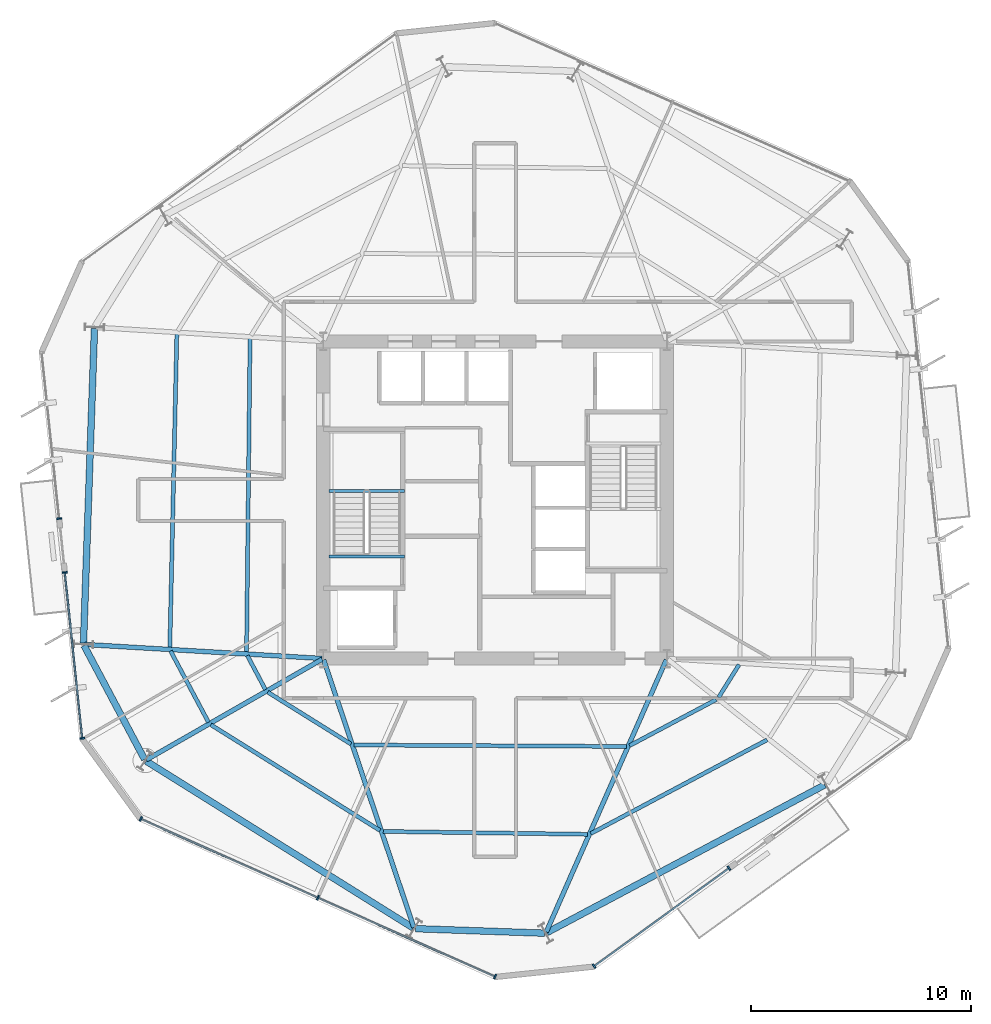
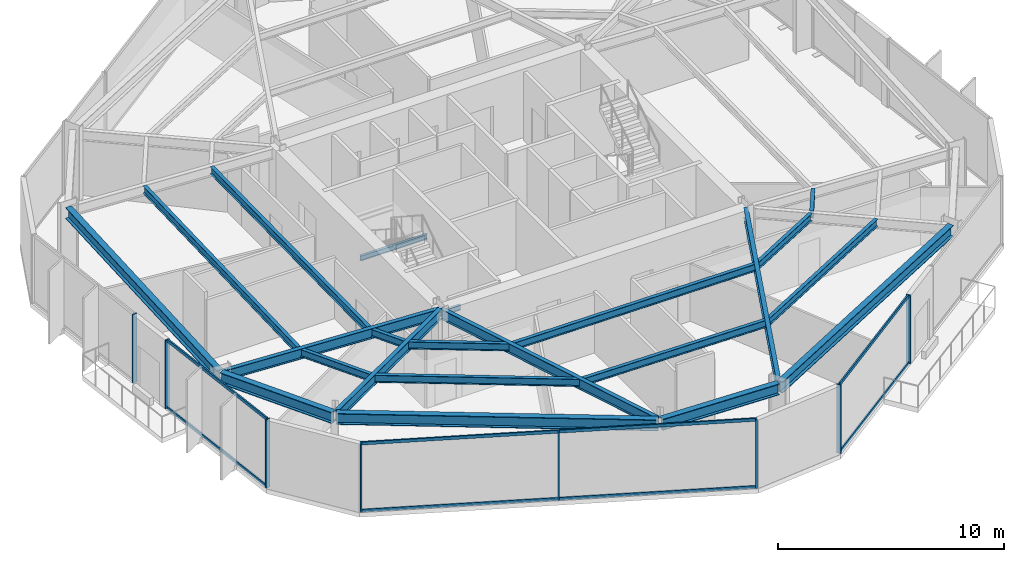
# One storey, part 2 of 12: 22 beams, 16 members, 4 elements without a shape of their own.
"""IFC4 building model written with IfcOpenShell, lengths in metres."""

from ifc_helpers import new_model, si_unit, direction, frame, origin, origin_2d, place, context, subcontext, project, spatial, rectangle, i_section, extrude, material, layer, layer_set, material_profile, profile_set, type_object, element, aggregate, save


model = new_model("IFC4")

# Units and contexts
model_context = context("Model", 3, precision=1e-05, world=origin(), true_north=direction((0.0, 1.0)))
body_context = subcontext(model_context, "Body", "Model", "MODEL_VIEW")
ifc_project = project(units=[si_unit("LENGTHUNIT", "METRE"), si_unit("AREAUNIT", "SQUARE_METRE"), si_unit("VOLUMEUNIT", "CUBIC_METRE"), si_unit("PLANEANGLEUNIT", "RADIAN"), si_unit("MASSUNIT", "GRAM", prefix="KILO")], contexts=[model_context])

# Site, building, storey
site_placement = place(None, origin())
site = spatial("IfcSite", under=ifc_project, at=site_placement, CompositionType="ELEMENT")
building_placement = place(site_placement, origin())
building = spatial("IfcBuilding", under=site, at=building_placement, Name="Kranzbogen Civic Tower", CompositionType="ELEMENT")
storey_placement = place(building_placement, frame((0.0, 0.0, 166.39990234375)))
storey = spatial("IfcBuildingStorey", under=building, at=storey_placement, Name="L40", CompositionType="ELEMENT", Elevation=166.39990234375)

# Curtain wall, member
ifc_material_1 = material(Name="Pale Anodised Aluminium", Category="aluminium")
ifc_layer = layer(ifc_material_1, 0.219970703125, Name="Pale Anodised Aluminium")
ifc_layer_set = layer_set([ifc_layer], Name="Pale Anodised Aluminium")
curtain_wall_type = type_object("IfcCurtainWallType", Name="Zone 2 Stick Curtain Wall System CW-03", PredefinedType="USERDEFINED", material=ifc_layer_set)
curtain_wall_1_placement = place(storey_placement, origin())
curtain_wall_1 = element("IfcCurtainWall", 1, at=curtain_wall_1_placement, inside=storey, type_object=curtain_wall_type, Name="L40 curtain wall CW-L40-F3-S1", ObjectType="STICK CURTAIN WALL", PredefinedType="USERDEFINED")
ifc_material_profile_1 = material_profile(ifc_material_1, rectangle(XDim=0.074951171875, YDim=0.219970703125, at=origin_2d()), Name="ALU-M 75x220")
ifc_profile_set_1 = profile_set([ifc_material_profile_1], Name="Pale Anodised Aluminium")
member_type_1 = type_object("IfcMemberType", Name="Curtain Wall Mullion ALU-M 75x220", PredefinedType="MULLION", material=ifc_profile_set_1)
member_1_placement = place(storey_placement, frame((5.207763671875, 24.15576171875, 0.0), z_axis=(0.0, 0.0, 1.0), x_axis=(0.104521149206, -0.99452266408, 0.0)))
member_1 = element("IfcMember", 2, at=member_1_placement, type_object=member_type_1, Name="CW-03 mullion 2", PredefinedType="MULLION", context=body_context, shape_type="SweptSolid", body=[
    extrude(rectangle(XDim=0.074951171875, YDim=0.219970703125, at=origin_2d()), origin(), (0.0, 0.0, 1.0), 3.7001953125),
])
aggregate(curtain_wall_1, [member_1])

# Curtain wall, members
curtain_wall_2_placement = place(storey_placement, origin())
curtain_wall_2 = element("IfcCurtainWall", 3, at=curtain_wall_2_placement, inside=storey, type_object=curtain_wall_type, Name="L40 curtain wall CW-L40-F3-S2", ObjectType="STICK CURTAIN WALL", PredefinedType="USERDEFINED")
member_2_placement = place(storey_placement, frame((5.464111328125, 21.709228515625, 0.0), z_axis=(0.0, 0.0, 1.0), x_axis=(0.104534766048, -0.994521232899, 0.0)))
member_2 = element("IfcMember", 4, at=member_2_placement, type_object=member_type_1, Name="CW-03 mullion 1", PredefinedType="MULLION", context=body_context, shape_type="SweptSolid", body=[
    extrude(rectangle(XDim=0.074951171875, YDim=0.219970703125, at=origin_2d()), origin(), (0.0, 0.0, 1.0), 3.7001953125),
])
member_3_placement = place(storey_placement, frame((6.255859375, 14.1767578125, 0.0), z_axis=(0.0, 0.0, 1.0), x_axis=(0.104534766048, -0.994521232899, 0.0)))
member_3 = element("IfcMember", 5, at=member_3_placement, type_object=member_type_1, Name="CW-03 mullion 2", PredefinedType="MULLION", context=body_context, shape_type="SweptSolid", body=[
    extrude(rectangle(XDim=0.074951171875, YDim=0.219970703125, at=origin_2d()), origin(), (0.0, 0.0, 1.0), 3.7001953125),
])

curtain_wall_3_placement = place(storey_placement, origin())
curtain_wall_3 = element("IfcCurtainWall", 6, at=curtain_wall_3_placement, inside=storey, type_object=curtain_wall_type, Name="L40 curtain wall CW-L40-F4", ObjectType="STICK CURTAIN WALL", PredefinedType="USERDEFINED")
member_4_placement = place(storey_placement, frame((8.914306640625, 10.518798828125, 0.0), z_axis=(0.0, 0.0, 1.0), x_axis=(0.913533600789, -0.406763272961, 0.0)))
member_4 = element("IfcMember", 7, at=member_4_placement, type_object=member_type_1, Name="CW-03 mullion 1", PredefinedType="MULLION", context=body_context, shape_type="SweptSolid", body=[
    extrude(rectangle(XDim=0.074951171875, YDim=0.219970703125, at=origin_2d()), origin(), (0.0, 0.0, 1.0), 3.7001953125),
])
member_5_placement = place(storey_placement, frame((16.95751953125, 6.9375, 0.0), z_axis=(0.0, 0.0, 1.0), x_axis=(0.913533600789, -0.406763272961, 0.0)))
member_5 = element("IfcMember", 8, at=member_5_placement, type_object=member_type_1, Name="CW-03 mullion 2", PredefinedType="MULLION", context=body_context, shape_type="SweptSolid", body=[
    extrude(rectangle(XDim=0.074951171875, YDim=0.219970703125, at=origin_2d()), origin(), (0.0, 0.0, 1.0), 3.7001953125),
])
member_6_placement = place(storey_placement, frame((25.00048828125, 3.356201171875, 0.0), z_axis=(0.0, 0.0, 1.0), x_axis=(0.913533600789, -0.406763272961, 0.0)))
member_6 = element("IfcMember", 9, at=member_6_placement, type_object=member_type_1, Name="CW-03 mullion 3", PredefinedType="MULLION", context=body_context, shape_type="SweptSolid", body=[
    extrude(rectangle(XDim=0.074951171875, YDim=0.219970703125, at=origin_2d()), origin(), (0.0, 0.0, 1.0), 3.7001953125),
])

curtain_wall_4_placement = place(storey_placement, origin())
curtain_wall_4 = element("IfcCurtainWall", 10, at=curtain_wall_4_placement, inside=storey, type_object=curtain_wall_type, Name="L40 curtain wall CW-L40-F5-S1", ObjectType="STICK CURTAIN WALL", PredefinedType="USERDEFINED")
member_7_placement = place(storey_placement, frame((29.499267578125, 3.82861328125, 0.0), z_axis=(0.0, 0.0, 1.0), x_axis=(0.808962592733, 0.587860122443, 0.0)))
member_7 = element("IfcMember", 11, at=member_7_placement, type_object=member_type_1, Name="CW-03 mullion 1", PredefinedType="MULLION", context=body_context, shape_type="SweptSolid", body=[
    extrude(rectangle(XDim=0.074951171875, YDim=0.219970703125, at=origin_2d()), origin(), (0.0, 0.0, 1.0), 3.7001953125),
])
member_8_placement = place(storey_placement, frame((35.626708984375, 8.28125, 0.0), z_axis=(0.0, 0.0, 1.0), x_axis=(0.808962592733, 0.587860122443, 0.0)))
member_8 = element("IfcMember", 12, at=member_8_placement, type_object=member_type_1, Name="CW-03 mullion 2", PredefinedType="MULLION", context=body_context, shape_type="SweptSolid", body=[
    extrude(rectangle(XDim=0.074951171875, YDim=0.219970703125, at=origin_2d()), origin(), (0.0, 0.0, 1.0), 3.7001953125),
])

# Member
ifc_material_profile_2 = material_profile(ifc_material_1, rectangle(XDim=0.074951171875, YDim=0.1650390625, at=origin_2d()), Name="ALU-T 75x165")
ifc_profile_set_2 = profile_set([ifc_material_profile_2], Name="Pale Anodised Aluminium")
member_type_2 = type_object("IfcMemberType", Name="Curtain Wall Transom ALU-T 75x165", PredefinedType="USERDEFINED", material=ifc_profile_set_2)
member_9_placement = place(storey_placement, frame((5.46728515625, 21.679443359375, 0.030029296875), z_axis=(0.104527485236, -0.994521998163, 0.0), x_axis=(0.994521998163, 0.104527485236, 0.0)))
member_9 = element("IfcMember", 13, at=member_9_placement, type_object=member_type_2, Name="CW-03 transom 1.1", ObjectType="TRANSOM", PredefinedType="USERDEFINED", context=body_context, shape_type="SweptSolid", body=[
    extrude(rectangle(XDim=0.074951171875, YDim=0.1650390625, at=origin_2d()), origin(), (0.0, 0.0, 1.0), 7.513916015625),
])

member_10_placement = place(storey_placement, frame((5.46728515625, 21.679443359375, 3.670166015625), z_axis=(0.104527485236, -0.994521998163, 0.0), x_axis=(0.994521998163, 0.104527485236, 0.0)))
member_10 = element("IfcMember", 14, at=member_10_placement, type_object=member_type_2, Name="CW-03 transom 1.2", ObjectType="TRANSOM", PredefinedType="USERDEFINED", context=body_context, shape_type="SweptSolid", body=[
    extrude(rectangle(XDim=0.074951171875, YDim=0.1650390625, at=origin_2d()), origin(), (0.0, 0.0, 1.0), 7.513916015625),
])

aggregate(curtain_wall_2, [member_2, member_3, member_9, member_10])

member_11_placement = place(storey_placement, frame((8.94189453125, 10.506591796875, 0.030029296875), z_axis=(0.913533864962, -0.406762679665, 0.0), x_axis=(0.406762679665, 0.913533864962, 0.0)))
member_11 = element("IfcMember", 15, at=member_11_placement, type_object=member_type_2, Name="CW-03 transom 1.1", ObjectType="TRANSOM", PredefinedType="USERDEFINED", context=body_context, shape_type="SweptSolid", body=[
    extrude(rectangle(XDim=0.074951171875, YDim=0.1650390625, at=origin_2d()), origin(), (0.0, 0.0, 1.0), 8.744384765625),
])

member_12_placement = place(storey_placement, frame((8.94189453125, 10.506591796875, 3.670166015625), z_axis=(0.913533864962, -0.406762679665, 0.0), x_axis=(0.406762679665, 0.913533864962, 0.0)))
member_12 = element("IfcMember", 16, at=member_12_placement, type_object=member_type_2, Name="CW-03 transom 1.2", ObjectType="TRANSOM", PredefinedType="USERDEFINED", context=body_context, shape_type="SweptSolid", body=[
    extrude(rectangle(XDim=0.074951171875, YDim=0.1650390625, at=origin_2d()), origin(), (0.0, 0.0, 1.0), 8.744384765625),
])

member_13_placement = place(storey_placement, frame((16.98486328125, 6.92529296875, 0.030029296875), z_axis=(0.913533864962, -0.406762679665, 0.0), x_axis=(0.406762679665, 0.913533864962, 0.0)))
member_13 = element("IfcMember", 17, at=member_13_placement, type_object=member_type_2, Name="CW-03 transom 2.1", ObjectType="TRANSOM", PredefinedType="USERDEFINED", context=body_context, shape_type="SweptSolid", body=[
    extrude(rectangle(XDim=0.074951171875, YDim=0.1650390625, at=origin_2d()), origin(), (0.0, 0.0, 1.0), 8.744384765625),
])

member_14_placement = place(storey_placement, frame((16.98486328125, 6.92529296875, 3.670166015625), z_axis=(0.913533864962, -0.406762679665, 0.0), x_axis=(0.406762679665, 0.913533864962, 0.0)))
member_14 = element("IfcMember", 18, at=member_14_placement, type_object=member_type_2, Name="CW-03 transom 2.2", ObjectType="TRANSOM", PredefinedType="USERDEFINED", context=body_context, shape_type="SweptSolid", body=[
    extrude(rectangle(XDim=0.074951171875, YDim=0.1650390625, at=origin_2d()), origin(), (0.0, 0.0, 1.0), 8.744384765625),
])

aggregate(curtain_wall_3, [member_4, member_5, member_6, member_11, member_12, member_13, member_14])

member_15_placement = place(storey_placement, frame((29.5234375, 3.84619140625, 0.030029296875), z_axis=(0.808969237085, 0.587850978948, 0.0), x_axis=(-0.587850978948, 0.808969237085, 0.0)))
member_15 = element("IfcMember", 19, at=member_15_placement, type_object=member_type_2, Name="CW-03 transom 1.1", ObjectType="TRANSOM", PredefinedType="USERDEFINED", context=body_context, shape_type="SweptSolid", body=[
    extrude(rectangle(XDim=0.074951171875, YDim=0.1650390625, at=origin_2d()), origin(), (0.0, 0.0, 1.0), 7.5146484375),
])

member_16_placement = place(storey_placement, frame((29.5234375, 3.84619140625, 3.670166015625), z_axis=(0.808969237085, 0.587850978948, 0.0), x_axis=(-0.587850978948, 0.808969237085, 0.0)))
member_16 = element("IfcMember", 20, at=member_16_placement, type_object=member_type_2, Name="CW-03 transom 1.2", ObjectType="TRANSOM", PredefinedType="USERDEFINED", context=body_context, shape_type="SweptSolid", body=[
    extrude(rectangle(XDim=0.074951171875, YDim=0.1650390625, at=origin_2d()), origin(), (0.0, 0.0, 1.0), 7.5146484375),
])

aggregate(curtain_wall_4, [member_7, member_8, member_15, member_16])

# Beams
ifc_material_2 = material(Name="Steel S355", Category="steel")
ifc_material_profile_3 = material_profile(ifc_material_2, i_section(OverallWidth=0.300048828125, OverallDepth=0.60009765625, WebThickness=0.015380859375, FlangeThickness=0.030029296875, at=origin_2d()), Name="HEB 600")
ifc_profile_set_3 = profile_set([ifc_material_profile_3], Name="Steel S355")
beam_type_1 = type_object("IfcBeamType", Name="Perimeter Tube Spandrel Beam HEB 600", PredefinedType="SPANDREL", material=ifc_profile_set_3)
beam_1_placement = place(storey_placement, frame((6.337890625, 18.39111328125, 3.400146484375), z_axis=(0.469565926668, -0.882897412224, 0.0), x_axis=(0.882897412224, 0.469565926668, 0.0)))
element("IfcBeam", 21, at=beam_1_placement, inside=storey, type_object=beam_type_1, Name="L40 perimeter spandrel beam 01", PredefinedType="SPANDREL", context=body_context, shape_type="SweptSolid", body=[
    extrude(i_section(OverallWidth=0.300048828125, OverallDepth=0.60009765625, WebThickness=0.015380859375, FlangeThickness=0.030029296875, at=origin_2d()), origin(), (0.0, 0.0, 1.0), 5.852294921875),
])
beam_2_placement = place(storey_placement, frame((9.1650390625, 13.138916015625, 3.400146484375), z_axis=(0.848051101349, -0.52991445489, 0.0), x_axis=(0.52991445489, 0.848051101349, 0.0)))
element("IfcBeam", 22, at=beam_2_placement, inside=storey, type_object=beam_type_1, Name="L40 perimeter spandrel beam 02", PredefinedType="SPANDREL", context=body_context, shape_type="SweptSolid", body=[
    extrude(i_section(OverallWidth=0.300048828125, OverallDepth=0.60009765625, WebThickness=0.015380859375, FlangeThickness=0.030029296875, at=origin_2d()), origin(), (0.0, 0.0, 1.0), 14.286865234375),
])
beam_3_placement = place(storey_placement, frame((21.39208984375, 5.533935546875, 3.400146484375), z_axis=(0.999393148233, -0.03483296234, 0.0), x_axis=(0.03483296234, 0.999393148233, 0.0)))
element("IfcBeam", 23, at=beam_3_placement, inside=storey, type_object=beam_type_1, Name="L40 perimeter spandrel beam 03", PredefinedType="SPANDREL", context=body_context, shape_type="SweptSolid", body=[
    extrude(i_section(OverallWidth=0.300048828125, OverallDepth=0.60009765625, WebThickness=0.015380859375, FlangeThickness=0.030029296875, at=origin_2d()), origin(), (0.0, 0.0, 1.0), 5.8525390625),
])
beam_4_placement = place(storey_placement, frame((27.35400390625, 5.35595703125, 3.400146484375), z_axis=(0.882948194046, 0.469470432116, 0.0), x_axis=(-0.469470432116, 0.882948194046, 0.0)))
element("IfcBeam", 24, at=beam_4_placement, inside=storey, type_object=beam_type_1, Name="L40 perimeter spandrel beam 04", PredefinedType="SPANDREL", context=body_context, shape_type="SweptSolid", body=[
    extrude(i_section(OverallWidth=0.300048828125, OverallDepth=0.60009765625, WebThickness=0.015380859375, FlangeThickness=0.030029296875, at=origin_2d()), origin(), (0.0, 0.0, 1.0), 14.28857421875),
])
beam_5_placement = place(storey_placement, frame((6.81103515625, 32.783935546875, 3.400146484375), z_axis=(-0.034924229103, -0.999389963038, 0.0), x_axis=(0.999389963038, -0.034924229103, 0.0)))
element("IfcBeam", 25, at=beam_5_placement, inside=storey, type_object=beam_type_1, Name="L40 perimeter spandrel beam 12", PredefinedType="SPANDREL", context=body_context, shape_type="SweptSolid", body=[
    extrude(i_section(OverallWidth=0.300048828125, OverallDepth=0.60009765625, WebThickness=0.015380859375, FlangeThickness=0.030029296875, at=origin_2d()), origin(), (0.0, 0.0, 1.0), 14.288818359375),
])
ifc_material_profile_4 = material_profile(ifc_material_2, i_section(OverallWidth=0.2099609375, OverallDepth=0.550048828125, WebThickness=0.010986328125, FlangeThickness=0.01708984375, at=origin_2d()), Name="IPE 550")
ifc_profile_set_4 = profile_set([ifc_material_profile_4], Name="Steel S355")
beam_type_2 = type_object("IfcBeamType", Name="Radial Tower Floor Girder IPE 550", PredefinedType="BEAM", material=ifc_profile_set_4)
beam_6_placement = place(storey_placement, frame((6.3701171875, 18.43994140625, 3.425048828125), z_axis=(0.998260925387, -0.058950189528, 0.0), x_axis=(0.058950189528, 0.998260925387, 0.0)))
element("IfcBeam", 26, at=beam_6_placement, inside=storey, type_object=beam_type_2, Name="L40 radial floor girder 01", PredefinedType="BEAM", context=body_context, shape_type="SweptSolid", body=[
    extrude(i_section(OverallWidth=0.2099609375, OverallDepth=0.550048828125, WebThickness=0.010986328125, FlangeThickness=0.01708984375, at=origin_2d()), origin(), (0.0, 0.0, 1.0), 10.78857421875),
])
beam_7_placement = place(storey_placement, frame((9.166015625, 13.200927734375, 3.425048828125), z_axis=(0.867868812182, 0.496793442833, 0.0), x_axis=(-0.496793442833, 0.867868812182, 0.0)))
element("IfcBeam", 27, at=beam_7_placement, inside=storey, type_object=beam_type_2, Name="L40 radial floor girder 02", PredefinedType="BEAM", context=body_context, shape_type="SweptSolid", body=[
    extrude(i_section(OverallWidth=0.2099609375, OverallDepth=0.550048828125, WebThickness=0.010986328125, FlangeThickness=0.01708984375, at=origin_2d()), origin(), (0.0, 0.0, 1.0), 9.197265625),
])
beam_8_placement = place(storey_placement, frame((21.31298828125, 5.593017578125, 3.425048828125), z_axis=(-0.319316617377, 0.947648087566, 0.0), x_axis=(-0.947648087566, -0.319316617377, 0.0)))
element("IfcBeam", 28, at=beam_8_placement, inside=storey, type_object=beam_type_2, Name="L40 radial floor girder 03", PredefinedType="BEAM", context=body_context, shape_type="SweptSolid", body=[
    extrude(i_section(OverallWidth=0.2099609375, OverallDepth=0.550048828125, WebThickness=0.010986328125, FlangeThickness=0.01708984375, at=origin_2d()), origin(), (0.0, 0.0, 1.0), 12.821044921875),
])
beam_9_placement = place(storey_placement, frame((27.324951171875, 5.383056640625, 3.425048828125), z_axis=(0.403459127705, 0.914997667905, 0.0), x_axis=(-0.914997667905, 0.403459127705, 0.0)))
element("IfcBeam", 29, at=beam_9_placement, inside=storey, type_object=beam_type_2, Name="L40 radial floor girder 04", PredefinedType="BEAM", context=body_context, shape_type="SweptSolid", body=[
    extrude(i_section(OverallWidth=0.2099609375, OverallDepth=0.550048828125, WebThickness=0.010986328125, FlangeThickness=0.01708984375, at=origin_2d()), origin(), (0.0, 0.0, 1.0), 13.510498046875),
])
ifc_material_profile_5 = material_profile(ifc_material_2, i_section(OverallWidth=0.179931640625, OverallDepth=0.39990234375, WebThickness=0.008544921875, FlangeThickness=0.013427734375, at=origin_2d()), Name="IPE 400")
ifc_profile_set_5 = profile_set([ifc_material_profile_5], Name="Steel S355")
beam_type_3 = type_object("IfcBeamType", Name="Secondary Composite Floor Joist IPE 400", PredefinedType="JOIST", material=ifc_profile_set_5)
beam_10_placement = place(storey_placement, frame((10.26806640625, 18.14208984375, 3.5), z_axis=(0.469338791783, -0.88301817565, 0.0), x_axis=(0.88301817565, 0.469338791783, 0.0)))
element("IfcBeam", 30, at=beam_10_placement, inside=storey, type_object=beam_type_3, Name="L40 secondary floor joist 1.01", PredefinedType="JOIST", context=body_context, shape_type="SweptSolid", body=[
    extrude(i_section(OverallWidth=0.179931640625, OverallDepth=0.39990234375, WebThickness=0.008544921875, FlangeThickness=0.013427734375, at=origin_2d()), origin(), (0.0, 0.0, 1.0), 3.66259765625),
])
beam_11_placement = place(storey_placement, frame((13.7529296875, 17.93505859375, 3.5), z_axis=(0.46943723363, -0.882965845139, 0.0), x_axis=(0.882965845139, 0.46943723363, 0.0)))
element("IfcBeam", 31, at=beam_11_placement, inside=storey, type_object=beam_type_3, Name="L40 secondary floor joist 2.01", PredefinedType="JOIST", context=body_context, shape_type="SweptSolid", body=[
    extrude(i_section(OverallWidth=0.179931640625, OverallDepth=0.39990234375, WebThickness=0.008544921875, FlangeThickness=0.013427734375, at=origin_2d()), origin(), (0.0, 0.0, 1.0), 1.7509765625),
])
beam_12_placement = place(storey_placement, frame((12.093017578125, 14.794921875, 3.5), z_axis=(0.848025549308, -0.529955345026, 0.0), x_axis=(0.529955345026, 0.848025549308, 0.0)))
element("IfcBeam", 32, at=beam_12_placement, inside=storey, type_object=beam_type_3, Name="L40 secondary floor joist 1.02", PredefinedType="JOIST", context=body_context, shape_type="SweptSolid", body=[
    extrude(i_section(OverallWidth=0.179931640625, OverallDepth=0.39990234375, WebThickness=0.008544921875, FlangeThickness=0.013427734375, at=origin_2d()), origin(), (0.0, 0.0, 1.0), 9.06103515625),
])
beam_13_placement = place(storey_placement, frame((14.679931640625, 16.27587890625, 3.5), z_axis=(0.848093834398, -0.529846060716, 0.0), x_axis=(0.529846060716, 0.848093834398, 0.0)))
element("IfcBeam", 33, at=beam_13_placement, inside=storey, type_object=beam_type_3, Name="L40 secondary floor joist 2.02", PredefinedType="JOIST", context=body_context, shape_type="SweptSolid", body=[
    extrude(i_section(OverallWidth=0.179931640625, OverallDepth=0.39990234375, WebThickness=0.008544921875, FlangeThickness=0.013427734375, at=origin_2d()), origin(), (0.0, 0.0, 1.0), 4.4501953125),
])
beam_14_placement = place(storey_placement, frame((19.924072265625, 9.949951171875, 3.5), z_axis=(0.999900525148, -0.014104602386, 0.0), x_axis=(0.014104602386, 0.999900525148, 0.0)))
element("IfcBeam", 34, at=beam_14_placement, inside=storey, type_object=beam_type_3, Name="L40 secondary floor joist 1.03", PredefinedType="JOIST", context=body_context, shape_type="SweptSolid", body=[
    extrude(i_section(OverallWidth=0.179931640625, OverallDepth=0.39990234375, WebThickness=0.008544921875, FlangeThickness=0.013427734375, at=origin_2d()), origin(), (0.0, 0.0, 1.0), 9.27783203125),
])
beam_15_placement = place(storey_placement, frame((18.60205078125, 13.875, 3.5), z_axis=(0.999985774147, -0.005333995002, 0.0), x_axis=(0.005333995002, 0.999985774147, 0.0)))
element("IfcBeam", 35, at=beam_15_placement, inside=storey, type_object=beam_type_3, Name="L40 secondary floor joist 2.03", PredefinedType="JOIST", context=body_context, shape_type="SweptSolid", body=[
    extrude(i_section(OverallWidth=0.179931640625, OverallDepth=0.39990234375, WebThickness=0.008544921875, FlangeThickness=0.013427734375, at=origin_2d()), origin(), (0.0, 0.0, 1.0), 12.358154296875),
])
beam_16_placement = place(storey_placement, frame((29.35107421875, 9.85498046875, 3.5), z_axis=(0.882960787661, 0.469446746131, 0.0), x_axis=(-0.469446746131, 0.882960787661, 0.0)))
element("IfcBeam", 36, at=beam_16_placement, inside=storey, type_object=beam_type_3, Name="L40 secondary floor joist 1.04", PredefinedType="JOIST", context=body_context, shape_type="SweptSolid", body=[
    extrude(i_section(OverallWidth=0.179931640625, OverallDepth=0.39990234375, WebThickness=0.008544921875, FlangeThickness=0.013427734375, at=origin_2d()), origin(), (0.0, 0.0, 1.0), 9.0615234375),
])
beam_17_placement = place(storey_placement, frame((31.111083984375, 13.846923828125, 3.5), z_axis=(0.882991399158, 0.469389165844, 0.0), x_axis=(-0.469389165844, 0.882991399158, 0.0)))
element("IfcBeam", 37, at=beam_17_placement, inside=storey, type_object=beam_type_3, Name="L40 secondary floor joist 2.04", PredefinedType="JOIST", context=body_context, shape_type="SweptSolid", body=[
    extrude(i_section(OverallWidth=0.179931640625, OverallDepth=0.39990234375, WebThickness=0.008544921875, FlangeThickness=0.013427734375, at=origin_2d()), origin(), (0.0, 0.0, 1.0), 4.45068359375),
])
beam_18_placement = place(storey_placement, frame((35.154052734375, 16.041015625, 3.5), z_axis=(0.529572623603, 0.84826460278, 0.0), x_axis=(-0.84826460278, 0.529572623603, 0.0)))
element("IfcBeam", 38, at=beam_18_placement, inside=storey, type_object=beam_type_3, Name="L40 secondary floor joist 2.05", PredefinedType="JOIST", context=body_context, shape_type="SweptSolid", body=[
    extrude(i_section(OverallWidth=0.179931640625, OverallDepth=0.39990234375, WebThickness=0.008544921875, FlangeThickness=0.013427734375, at=origin_2d()), origin(), (0.0, 0.0, 1.0), 1.75048828125),
])
beam_19_placement = place(storey_placement, frame((10.551025390625, 32.531982421875, 3.5), z_axis=(-0.022402523442, -0.999749031979, 0.0), x_axis=(0.999749031979, -0.022402523442, 0.0)))
element("IfcBeam", 39, at=beam_19_placement, inside=storey, type_object=beam_type_3, Name="L40 secondary floor joist 1.12", PredefinedType="JOIST", context=body_context, shape_type="SweptSolid", body=[
    extrude(i_section(OverallWidth=0.179931640625, OverallDepth=0.39990234375, WebThickness=0.008544921875, FlangeThickness=0.013427734375, at=origin_2d()), origin(), (0.0, 0.0, 1.0), 14.24365234375),
])
beam_20_placement = place(storey_placement, frame((13.875, 32.325927734375, 3.5), z_axis=(-0.011160516663, -0.999937719494, 0.0), x_axis=(0.999937719494, -0.011160516663, 0.0)))
element("IfcBeam", 40, at=beam_20_placement, inside=storey, type_object=beam_type_3, Name="L40 secondary floor joist 2.12", PredefinedType="JOIST", context=body_context, shape_type="SweptSolid", body=[
    extrude(i_section(OverallWidth=0.179931640625, OverallDepth=0.39990234375, WebThickness=0.008544921875, FlangeThickness=0.013427734375, at=origin_2d()), origin(), (0.0, 0.0, 1.0), 14.240966796875),
])
ifc_material_profile_6 = material_profile(ifc_material_2, i_section(OverallWidth=0.135009765625, OverallDepth=0.27001953125, WebThickness=0.006591796875, FlangeThickness=0.01025390625, at=origin_2d()), Name="IPE 270")
ifc_profile_set_6 = profile_set([ifc_material_profile_6], Name="Steel S355")
beam_type_4 = type_object("IfcBeamType", Name="Stair Landing Support Beam IPE 270", PredefinedType="JOIST", material=ifc_profile_set_6)
for number, where, z_axis, x_axis, name in (
    (41, (20.8798828125, 22.43994140625, -0.375), (-1.0, 0.0, 0.0), (0.0, -1.0, 0.0), "L40 ST-T1 stair floor header beam"),
    (42, (20.8798828125, 25.39990234375, 1.6650390625), (-1.0, 0.0, 0.0), (0.0, -1.0, 0.0), "L40 ST-T1 landing support beam 1.1"),
):
    element("IfcBeam", number, at=place(storey_placement, frame(where, z_axis=z_axis, x_axis=x_axis)), inside=storey, type_object=beam_type_4, Name=name, PredefinedType="JOIST", context=body_context, shape_type="SweptSolid", body=[
        extrude(i_section(OverallWidth=0.135009765625, OverallDepth=0.27001953125, WebThickness=0.006591796875, FlangeThickness=0.01025390625, at=origin_2d()), origin(), (0.0, 0.0, 1.0), 3.409912109375),
    ])

save(model, "model.ifc")
